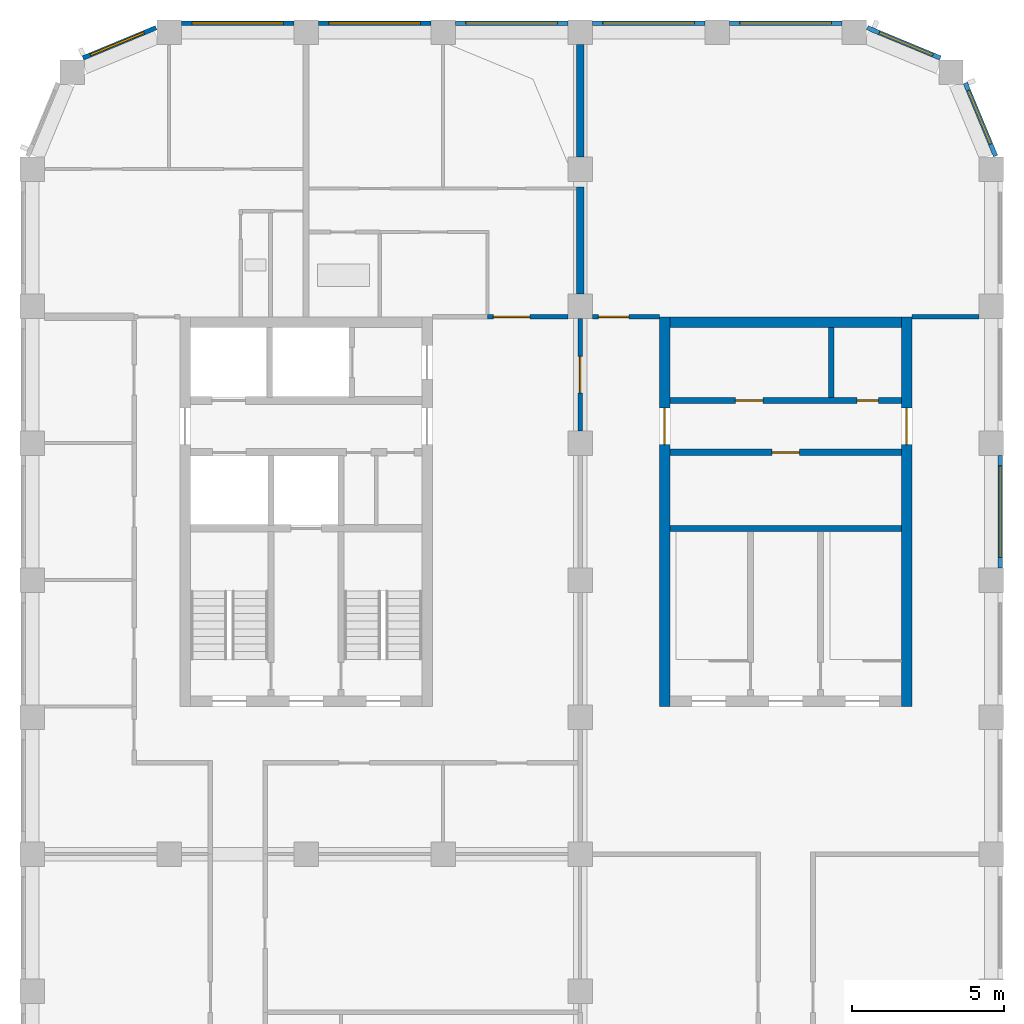
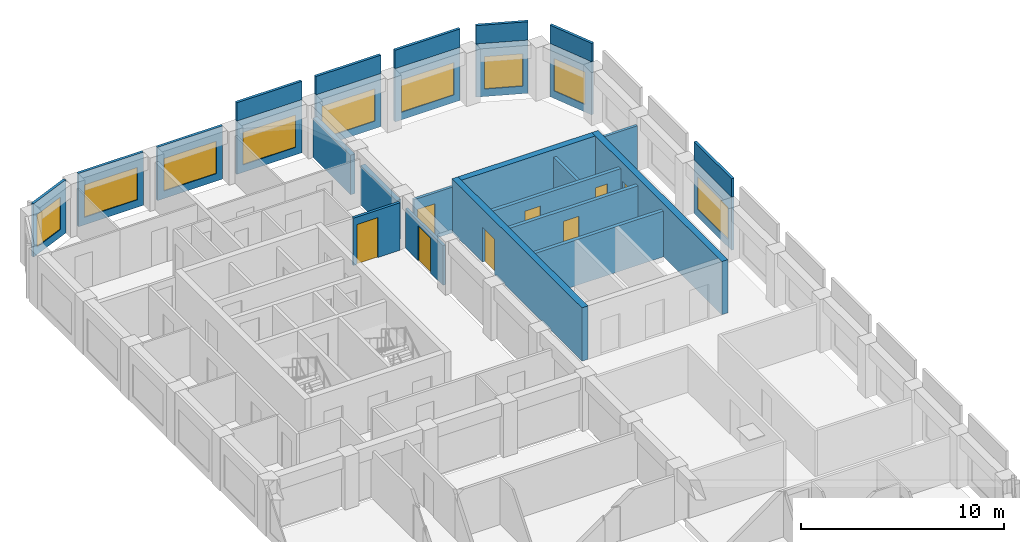
# One storey, part 7 of 10: 28 walls, 9 windows, 8 doors, 17 openings.
"""IFC4 building model written with IfcOpenShell, lengths in metres."""

import ifcopenshell
import ifcopenshell.guid

model = None  # the IFC model being written
_history = None  # IfcOwnerHistory: only IFC2X3 demands one
_inside = {}  # id of a spatial element -> (the spatial element, [elements in it])
_under = {}  # id of a project, library or spatial element -> (it, [spatial elements below it])
_declared = {}  # id of a project -> (the project, [libraries it declares])
_typed = {}  # id of a type object -> (the type object, [elements of that type])
_made_of = {}  # id of a material, layer set ... -> (it, [elements and type objects made of it])


def new_model(schema):
    """Start an empty IFC model of exactly this schema.

    Asked for "IFC4X3", IfcOpenShell would pick the latest addendum, in which some entities
    have other attributes; the version numbers below select the first issue.
    IFC2X3 requires an IfcOwnerHistory on every rooted entity: one is made here for all.
    """
    global model, _history
    if schema == "IFC4X3":
        model = ifcopenshell.file(schema_version=(4, 3, 0, 0))
    else:
        model = ifcopenshell.file(schema=schema)
    _inside.clear()
    _under.clear()
    _declared.clear()
    _typed.clear()
    _made_of.clear()
    _history = None
    if model.schema == "IFC2X3":
        org = make("IfcOrganization", Name="unknown")
        user = make(
            "IfcPersonAndOrganization",
            ThePerson=make("IfcPerson", FamilyName="unknown"),
            TheOrganization=org,
        )
        app = make(
            "IfcApplication",
            ApplicationDeveloper=org,
            Version="unknown",
            ApplicationFullName="unknown",
            ApplicationIdentifier="unknown",
        )
        _history = make(
            "IfcOwnerHistory",
            OwningUser=user,
            OwningApplication=app,
            ChangeAction="ADDED",
            CreationDate=0,
        )
    return model


def make(cls, **values):
    """One entity of the class cls with the attributes given. An attribute that is None is left unset."""
    return model.create_entity(
        cls, **{name: value for name, value in values.items() if value is not None}
    )


def rooted(cls, **values):
    """An entity with a GlobalId (a new one), such as an element, a storey or a relation."""
    return make(cls, GlobalId=ifcopenshell.guid.new(), OwnerHistory=_history, **values)


def si_unit(unit_type, name, prefix=None):
    """IfcSIUnit, for example si_unit("LENGTHUNIT", "METRE", prefix="MILLI")."""
    return make("IfcSIUnit", UnitType=unit_type, Prefix=prefix, Name=name)


def assignment(units):
    """IfcUnitAssignment: the units of a project."""
    return None if units is None else make("IfcUnitAssignment", Units=units)


def point(xyz):
    """IfcCartesianPoint."""
    return None if xyz is None else make("IfcCartesianPoint", Coordinates=xyz)


def direction(xyz):
    """IfcDirection."""
    return None if xyz is None else make("IfcDirection", DirectionRatios=xyz)


def frame(location, z_axis=None, x_axis=None):
    """IfcAxis2Placement3D, a coordinate frame: its origin and axes. An axis left out is left unset."""
    return make(
        "IfcAxis2Placement3D",
        Location=point(location),
        Axis=direction(z_axis),
        RefDirection=direction(x_axis),
    )


def frame_2d(location, x_axis=None):
    """IfcAxis2Placement2D, a coordinate frame in the plane: its origin and x axis."""
    return make(
        "IfcAxis2Placement2D", Location=point(location), RefDirection=direction(x_axis)
    )


def origin():
    """The frame at (0, 0, 0) with its axes left unset."""
    return frame((0.0, 0.0, 0.0))


def place(relative_to, where):
    """IfcLocalPlacement: puts the frame where relative to a parent placement (None: the world)."""
    return make(
        "IfcLocalPlacement", PlacementRelTo=relative_to, RelativePlacement=where
    )


def context(
    kind, dimensions, precision=None, world=None, true_north=None, identifier=None
):
    """IfcGeometricRepresentationContext, for example the 3D "Model" context."""
    return make(
        "IfcGeometricRepresentationContext",
        ContextIdentifier=identifier,
        ContextType=kind,
        CoordinateSpaceDimension=dimensions,
        Precision=precision,
        WorldCoordinateSystem=world,
        TrueNorth=true_north,
    )


def subcontext(parent, identifier, kind, view, scale=None):
    """IfcGeometricRepresentationSubContext, for example "Body" below "Model"."""
    return make(
        "IfcGeometricRepresentationSubContext",
        ContextIdentifier=identifier,
        ContextType=kind,
        ParentContext=parent,
        TargetScale=scale,
        TargetView=view,
    )


def project(units=None, contexts=None):
    """IfcProject with its units and contexts."""
    return rooted(
        "IfcProject",
        Name="project",
        RepresentationContexts=contexts,
        UnitsInContext=assignment(units),
    )


def spatial(cls, under=None, at=None, **own):
    """A site, building, storey or space (cls), placed at a placement, below another one or the project."""
    s = rooted(cls, ObjectPlacement=at, **own)
    if under is not None:
        _under.setdefault(under.id(), (under, []))[1].append(s)
    return s


def profile(cls, at=None, kind="AREA", **sizes):
    """A parametric profile (cls). Its sizes go by their IFC names, for example OverallWidth=200.0."""
    return make(cls, ProfileType=kind, Position=at, **sizes)


def rectangle(**sizes):
    """IfcRectangleProfileDef."""
    return profile("IfcRectangleProfileDef", **sizes)


def extrude(swept, where, along, depth):
    """IfcExtrudedAreaSolid: the profile swept, set in the frame where, extruded along a direction by depth."""
    return make(
        "IfcExtrudedAreaSolid",
        SweptArea=swept,
        Position=where,
        ExtrudedDirection=direction(along),
        Depth=depth,
    )


def shape(context_of_items, identifier, shape_type, items):
    """IfcShapeRepresentation: the items that make up one representation, for example the "Body"."""
    return make(
        "IfcShapeRepresentation",
        ContextOfItems=context_of_items,
        RepresentationIdentifier=identifier,
        RepresentationType=shape_type,
        Items=items,
    )


def material(Name=None, Category=None):
    """IfcMaterial."""
    return make("IfcMaterial", Name=Name, Category=Category)


def layer(
    of_material, thickness, ventilated=None, Name=None, Category=None, Priority=None
):
    """IfcMaterialLayer: one layer of a wall or slab, of a material (None: an air gap)."""
    return make(
        "IfcMaterialLayer",
        Material=of_material,
        LayerThickness=thickness,
        IsVentilated=ventilated,
        Name=Name,
        Category=Category,
        Priority=Priority,
    )


def layer_set(layers, Name=None):
    """IfcMaterialLayerSet."""
    return make("IfcMaterialLayerSet", MaterialLayers=layers, LayerSetName=Name)


def made_of(thing, what):
    """Note that an element or type object is made of a material, layer set ...; save() writes the relation."""
    if what is not None:
        _made_of.setdefault(what.id(), (what, []))[1].append(thing)
    return thing


def type_object(cls, material=None, **own):
    """A type object (cls), such as IfcWallType, which elements share."""
    return made_of(rooted(cls, **own), material)


def element(
    cls,
    number,
    at=None,
    inside=None,
    cuts=None,
    type_object=None,
    material=None,
    context=None,
    identifier="Body",
    shape_type=None,
    held_by="IfcProductDefinitionShape",
    body=None,
    shapes=None,
    **own,
):
    """One element of the class cls, such as IfcWall. Its Tag is "e" and its number.

    at: its placement. inside: the storey or other place that contains it. cuts: it is an
    opening in that element (IfcRelVoidsElement). A single representation is given by context,
    identifier, shape_type and body (its items); several are given by shapes. held_by: the class
    of the entity that holds the representations. save() writes the other relations.
    """
    e = rooted(cls, Tag="e%d" % number, ObjectPlacement=at, **own)
    if body is not None:
        shapes = [shape(context, identifier, shape_type, body)]
    if shapes is not None:
        e.Representation = make(held_by, Representations=shapes)
    if inside is not None:
        _inside.setdefault(inside.id(), (inside, []))[1].append(e)
    if cuts is not None:
        rooted(
            "IfcRelVoidsElement", RelatingBuildingElement=cuts, RelatedOpeningElement=e
        )
    if type_object is not None:
        _typed.setdefault(type_object.id(), (type_object, []))[1].append(e)
    return made_of(e, material)


def fill(opening, filler):
    """IfcRelFillsElement: the door or window that sits in an opening."""
    return rooted(
        "IfcRelFillsElement",
        RelatingOpeningElement=opening,
        RelatedBuildingElement=filler,
    )


def aggregate(whole, parts):
    """IfcRelAggregates: a whole, such as a stair, and the parts it consists of."""
    return rooted("IfcRelAggregates", RelatingObject=whole, RelatedObjects=parts)


def save(model, path):
    """Write the relations noted so far, then the file.

    IfcRelAggregates (storeys below a building ...), IfcRelContainedInSpatialStructure (elements
    in a storey), IfcRelDefinesByType, IfcRelAssociatesMaterial and IfcRelDeclares: one each for
    every whole, place, type object, material and project.
    """
    for whole, parts in _under.values():
        aggregate(whole, parts)
    for where, things in _inside.values():
        rooted(
            "IfcRelContainedInSpatialStructure",
            RelatedElements=things,
            RelatingStructure=where,
        )
    for kind, things in _typed.values():
        rooted("IfcRelDefinesByType", RelatedObjects=things, RelatingType=kind)
    for what, things in _made_of.values():
        rooted("IfcRelAssociatesMaterial", RelatedObjects=things, RelatingMaterial=what)
    for by, libraries in _declared.values():
        rooted("IfcRelDeclares", RelatingContext=by, RelatedDefinitions=libraries)
    model.write(path)


model = new_model("IFC4")

# Units and contexts
model_context = context("Model", 3, precision=1e-05, world=origin(), true_north=direction((0.0, 1.0)))
body_context = subcontext(model_context, "Body", "Model", "MODEL_VIEW")
ifc_project = project(units=[si_unit("LENGTHUNIT", "METRE"), si_unit("AREAUNIT", "SQUARE_METRE"), si_unit("VOLUMEUNIT", "CUBIC_METRE"), si_unit("PLANEANGLEUNIT", "RADIAN"), si_unit("MASSUNIT", "GRAM", prefix="KILO")], contexts=[model_context])

# Site, building, storey
site_placement = place(None, origin())
site = spatial("IfcSite", under=ifc_project, at=site_placement, CompositionType="ELEMENT")
building_placement = place(site_placement, origin())
building = spatial("IfcBuilding", under=site, at=building_placement, Name="Girih Gate Residences", CompositionType="ELEMENT")
storey_placement = place(building_placement, frame((0.0, 0.0, 232.4951171875)))
storey = spatial("IfcBuildingStorey", under=building, at=storey_placement, Name="L65", CompositionType="ELEMENT", Elevation=232.4951171875)

# Walls
ifc_material_1 = material(Name="Gypsum board on steel studs", Category="steel")
ifc_layer_1 = layer(ifc_material_1, 0.25)
ifc_layer_set_1 = layer_set([ifc_layer_1], Name="Acoustic separating wall 250 mm")
wall_type_1 = type_object("IfcWallType", Name="Acoustic separating wall 250 mm", PredefinedType="PARTITIONING", material=ifc_layer_set_1)
wall_1_placement = place(storey_placement, frame((18.0, 45.39990234375, 0.0), z_axis=(0.0, 0.0, 1.0), x_axis=(0.0, 1.0, 0.0)))
element("IfcWall", 1, at=wall_1_placement, inside=storey, type_object=wall_type_1, Name="L65 partition", PredefinedType="PARTITIONING", context=body_context, shape_type="SweptSolid", body=[
    extrude(rectangle(XDim=3.7001953125, YDim=0.25, at=frame_2d((1.85009765625, 0.0))), origin(), (0.0, 0.0, 1.0), 2.3798828125),
])
wall_2_placement = place(storey_placement, frame((18.0, 40.89990234375, 0.0), z_axis=(0.0, 0.0, 1.0), x_axis=(0.0, 1.0, 0.0)))
element("IfcWall", 2, at=wall_2_placement, inside=storey, type_object=wall_type_1, Name="L65 partition", PredefinedType="PARTITIONING", context=body_context, shape_type="SweptSolid", body=[
    extrude(rectangle(XDim=3.510009765625, YDim=0.25, at=frame_2d((1.7548828125, 0.0))), origin(), (0.0, 0.0, 1.0), 2.3798828125),
])

# Wall, opening, door
ifc_layer_2 = layer(ifc_material_1, 0.14990234375)
ifc_layer_set_2 = layer_set([ifc_layer_2], Name="Compartment wall 150 mm")
wall_type_2 = type_object("IfcWallType", Name="Compartment wall 150 mm", PredefinedType="PARTITIONING", material=ifc_layer_set_2)
wall_3_placement = place(storey_placement, frame((14.949951171875, 40.14990234375, 0.0), z_axis=(0.0, 0.0, 1.0), x_axis=(1.0, 0.0, 0.0)))
wall_3 = element("IfcWall", 3, at=wall_3_placement, inside=storey, type_object=wall_type_2, Name="L65 partition", PredefinedType="PARTITIONING", context=body_context, shape_type="SweptSolid", body=[
    extrude(rectangle(XDim=2.650146484375, YDim=0.14990234375, at=frame_2d((1.3251953125, 0.0))), origin(), (0.0, 0.0, 1.0), 2.849853515625),
])
opening_1_placement = place(wall_3_placement, frame((0.199951171875, 0.0, 0.0)))
opening_1 = element("IfcOpeningElement", 4, at=opening_1_placement, cuts=wall_3, Name="Opening A65-017", PredefinedType="OPENING", context=body_context, shape_type="SweptSolid", body=[
    extrude(rectangle(XDim=1.199951171875, YDim=2.39990234375, at=frame_2d((0.60009765625, 1.199951171875))), frame((0.0, 0.0849609375, 0.0), z_axis=(0.0, -1.0, 0.0), x_axis=(1.0, 0.0, 0.0)), (0.0, 0.0, 1.0), 0.169921875),
])
ifc_material_2 = material(Name="Timber, fire-rated core", Category="wood")
door_type_1 = type_object("IfcDoorType", Name="Villa entrance door 1200x2400 FD30S", OperationType="NOTDEFINED", PredefinedType="DOOR", material=ifc_material_2)
door_1_placement = place(opening_1_placement, origin())
door_1 = element("IfcDoor", 5, at=door_1_placement, inside=storey, type_object=door_type_1, Name="Door A65-017", OperationType="SINGLE_SWING_LEFT", OverallHeight=2.39990234375, OverallWidth=1.199951171875, PredefinedType="DOOR", context=body_context, shape_type="SweptSolid", body=[
    extrude(rectangle(XDim=1.199951171875, YDim=2.39990234375, at=frame_2d((0.60009765625, 1.199951171875))), frame((0.0, 0.02490234375, 0.0), z_axis=(0.0, -1.0, 0.0), x_axis=(1.0, 0.0, 0.0)), (0.0, 0.0, 1.0), 0.050048828125),
])
fill(opening_1, door_1)

wall_4_placement = place(storey_placement, frame((18.39990234375, 40.14990234375, 0.0), z_axis=(0.0, 0.0, 1.0), x_axis=(1.0, 0.0, 0.0)))
wall_4 = element("IfcWall", 6, at=wall_4_placement, inside=storey, type_object=wall_type_2, Name="L65 partition", PredefinedType="PARTITIONING", context=body_context, shape_type="SweptSolid", body=[
    extrude(rectangle(XDim=2.2001953125, YDim=0.14990234375, at=frame_2d((1.10009765625, 0.0))), origin(), (0.0, 0.0, 1.0), 2.75),
])
opening_2_placement = place(wall_4_placement, frame((0.199951171875, 0.0, 0.0)))
opening_2 = element("IfcOpeningElement", 7, at=opening_2_placement, cuts=wall_4, Name="Opening A65-025", PredefinedType="OPENING", context=body_context, shape_type="SweptSolid", body=[
    extrude(rectangle(XDim=1.0, YDim=2.10009765625, at=frame_2d((0.5, 1.050048828125))), frame((0.0, 0.0849609375, 0.0), z_axis=(0.0, -1.0, 0.0), x_axis=(1.0, 0.0, 0.0)), (0.0, 0.0, 1.0), 0.169921875),
])
door_type_2 = type_object("IfcDoorType", Name="Amenity room door 1000x2100 FD30S", OperationType="NOTDEFINED", PredefinedType="DOOR", material=ifc_material_2)
door_2_placement = place(opening_2_placement, origin())
door_2 = element("IfcDoor", 8, at=door_2_placement, inside=storey, type_object=door_type_2, Name="Door A65-025", OperationType="SINGLE_SWING_LEFT", OverallHeight=2.10009765625, OverallWidth=1.0, PredefinedType="DOOR", context=body_context, shape_type="SweptSolid", body=[
    extrude(rectangle(XDim=1.0, YDim=2.10009765625, at=frame_2d((0.5, 1.050048828125))), frame((0.0, 0.02490234375, 0.0), z_axis=(0.0, -1.0, 0.0), x_axis=(1.0, 0.0, 0.0)), (0.0, 0.0, 1.0), 0.050048828125),
])
fill(opening_2, door_2)

# Wall
wall_5_placement = place(storey_placement, frame((28.89990234375, 40.14990234375, 0.0), z_axis=(0.0, 0.0, 1.0), x_axis=(1.0, 0.0, 0.0)))
element("IfcWall", 9, at=wall_5_placement, inside=storey, type_object=wall_type_2, Name="L65 partition", PredefinedType="PARTITIONING", context=body_context, shape_type="SweptSolid", body=[
    extrude(rectangle(XDim=2.2001953125, YDim=0.14990234375, at=frame_2d((1.10009765625, 0.0))), origin(), (0.0, 0.0, 1.0), 2.75),
])

# Wall, opening, door
wall_6_placement = place(storey_placement, frame((18.0, 40.10009765625, 0.0), z_axis=(0.0, 0.0, 1.0), x_axis=(0.0, -1.0, 0.0)))
wall_6 = element("IfcWall", 10, at=wall_6_placement, inside=storey, type_object=wall_type_2, Name="L65 partition", PredefinedType="PARTITIONING", context=body_context, shape_type="SweptSolid", body=[
    extrude(rectangle(XDim=3.7001953125, YDim=0.14990234375, at=frame_2d((1.85009765625, 0.0))), origin(), (0.0, 0.0, 1.0), 2.3798828125),
])
opening_3_placement = place(wall_6_placement, frame((1.25, 0.0, 0.0)))
opening_3 = element("IfcOpeningElement", 11, at=opening_3_placement, cuts=wall_6, Name="Opening A65-026", PredefinedType="OPENING", context=body_context, shape_type="SweptSolid", body=[
    extrude(rectangle(XDim=1.199951171875, YDim=2.10009765625, at=frame_2d((0.60009765625, 1.050048828125))), frame((0.0, 0.0849609375, 0.0), z_axis=(0.0, -1.0, 0.0), x_axis=(1.0, 0.0, 0.0)), (0.0, 0.0, 1.0), 0.169921875),
])
door_type_3 = type_object("IfcDoorType", Name="Corridor fire door 1200x2100 FD30S", OperationType="NOTDEFINED", PredefinedType="DOOR", material=ifc_material_2)
door_3_placement = place(opening_3_placement, origin())
door_3 = element("IfcDoor", 12, at=door_3_placement, inside=storey, type_object=door_type_3, Name="Door A65-026", OperationType="SINGLE_SWING_LEFT", OverallHeight=2.10009765625, OverallWidth=1.199951171875, PredefinedType="DOOR", context=body_context, shape_type="SweptSolid", body=[
    extrude(rectangle(XDim=1.199951171875, YDim=2.10009765625, at=frame_2d((0.60009765625, 1.050048828125))), frame((0.0, 0.02490234375, 0.0), z_axis=(0.0, -1.0, 0.0), x_axis=(1.0, 0.0, 0.0)), (0.0, 0.0, 1.0), 0.050048828125),
])
fill(opening_3, door_3)

# Wall, opening, window
ifc_material_3 = material(Name="Precast concrete C50/60", Category="concrete")
ifc_layer_3 = layer(ifc_material_3, 0.050048828125, Name="Outer leaf")
ifc_material_4 = material(Name="Rigid PIR insulation")
ifc_layer_4 = layer(ifc_material_4, 0.06005859375, Name="Insulation")
ifc_material_5 = material(Name="Precast concrete C40/50", Category="concrete")
ifc_layer_5 = layer(ifc_material_5, 0.0400390625, Name="Inner leaf")
ifc_layer_set_3 = layer_set([ifc_layer_3, ifc_layer_4, ifc_layer_5], Name="Precast concrete C50/60 external wall 150")
wall_type_3 = type_object("IfcWallType", Name="Precast concrete C50/60 external wall 150", PredefinedType="SOLIDWALL", material=ifc_layer_set_3)
wall_7_placement = place(storey_placement, frame((31.800048828125, 35.60009765625, 0.0), z_axis=(0.0, 0.0, 1.0), x_axis=(0.0, -1.0, 0.0)))
wall_7 = element("IfcWall", 13, at=wall_7_placement, inside=storey, type_object=wall_type_3, Name="External wall E0315_0045.6", PredefinedType="SOLIDWALL", context=body_context, shape_type="SweptSolid", body=[
    extrude(rectangle(XDim=3.7001953125, YDim=0.14990234375, at=frame_2d((1.85009765625, 0.0))), origin(), (0.0, 0.0, 1.0), 3.199951171875),
])
opening_4_placement = place(wall_7_placement, frame((0.35009765625, 0.0, 0.449951171875)))
opening_4 = element("IfcOpeningElement", 14, at=opening_4_placement, cuts=wall_7, Name="Opening W-1D", PredefinedType="OPENING", context=body_context, shape_type="SweptSolid", body=[
    extrude(rectangle(XDim=3.0, YDim=1.949951171875, at=frame_2d((1.5, 0.97509765625))), frame((0.0, 0.0849609375, 0.0), z_axis=(0.0, -1.0, 0.0), x_axis=(1.0, 0.0, 0.0)), (0.0, 0.0, 1.0), 0.169921875),
])
ifc_material_6 = material(Name="Double glazing in aluminium frame", Category="aluminium")
window_type_1 = type_object("IfcWindowType", Name="Window W-1D 3000x1950", PartitioningType="SINGLE_PANEL", PredefinedType="WINDOW", material=ifc_material_6)
window_1_placement = place(opening_4_placement, origin())
window_1 = element("IfcWindow", 15, at=window_1_placement, inside=storey, type_object=window_type_1, Name="Window W-1D E0315_0045.6", OverallHeight=1.949951171875, OverallWidth=3.0, PartitioningType="SINGLE_PANEL", PredefinedType="WINDOW", context=body_context, shape_type="SweptSolid", body=[
    extrude(rectangle(XDim=3.0, YDim=1.949951171875, at=frame_2d((1.5, 0.97509765625))), frame((0.0, 0.030029296875, 0.0), z_axis=(0.0, -1.0, 0.0), x_axis=(1.0, 0.0, 0.0)), (0.0, 0.0, 1.0), 0.06005859375),
])
fill(opening_4, window_1)

wall_8_placement = place(storey_placement, frame((30.6513671875, 47.8330078125, 0.0), z_axis=(0.0, 0.0, 1.0), x_axis=(0.382669406082, -0.923885342263, 0.0)))
wall_8 = element("IfcWall", 16, at=wall_8_placement, inside=storey, type_object=wall_type_3, Name="External wall NE0315_0450.0", PredefinedType="SOLIDWALL", context=body_context, shape_type="SweptSolid", body=[
    extrude(rectangle(XDim=2.602294921875, YDim=0.14990234375, at=frame_2d((1.30126953125, 0.0))), origin(), (0.0, 0.0, 1.0), 3.199951171875),
])
opening_5_placement = place(wall_8_placement, frame((0.27001953125, 0.0, 0.449951171875)))
opening_5 = element("IfcOpeningElement", 17, at=opening_5_placement, cuts=wall_8, Name="Opening W-2G", PredefinedType="OPENING", context=body_context, shape_type="SweptSolid", body=[
    extrude(rectangle(XDim=1.89990234375, YDim=1.949951171875, at=frame_2d((0.949951171875, 0.97509765625))), frame((0.0, 0.0849609375, 0.0), z_axis=(0.0, -1.0, 0.0), x_axis=(1.0, 0.0, 0.0)), (0.0, 0.0, 1.0), 0.169921875),
])
window_type_2 = type_object("IfcWindowType", Name="Window W-2G 1900x1950", PartitioningType="SINGLE_PANEL", PredefinedType="WINDOW", material=ifc_material_6)
window_2_placement = place(opening_5_placement, origin())
window_2 = element("IfcWindow", 18, at=window_2_placement, inside=storey, type_object=window_type_2, Name="Window W-2G NE0315_0450.0", OverallHeight=1.949951171875, OverallWidth=1.89990234375, PartitioningType="SINGLE_PANEL", PredefinedType="WINDOW", context=body_context, shape_type="SweptSolid", body=[
    extrude(rectangle(XDim=1.89990234375, YDim=1.949951171875, at=frame_2d((0.949951171875, 0.97509765625))), frame((0.0, 0.030029296875, 0.0), z_axis=(0.0, -1.0, 0.0), x_axis=(1.0, 0.0, 0.0)), (0.0, 0.0, 1.0), 0.06005859375),
])
fill(opening_5, window_2)

wall_9_placement = place(storey_placement, frame((27.4287109375, 49.647216796875, 0.0), z_axis=(0.0, 0.0, 1.0), x_axis=(0.923885342263, -0.382669406082, 0.0)))
wall_9 = element("IfcWall", 19, at=wall_9_placement, inside=storey, type_object=wall_type_3, Name="External wall NE0302_0482.0", PredefinedType="SOLIDWALL", context=body_context, shape_type="SweptSolid", body=[
    extrude(rectangle(XDim=2.602294921875, YDim=0.14990234375, at=frame_2d((1.30126953125, 0.0))), origin(), (0.0, 0.0, 1.0), 3.199951171875),
])
opening_6_placement = place(wall_9_placement, frame((0.432373046875, 0.0, 0.449951171875)))
opening_6 = element("IfcOpeningElement", 20, at=opening_6_placement, cuts=wall_9, Name="Opening W-2G", PredefinedType="OPENING", context=body_context, shape_type="SweptSolid", body=[
    extrude(rectangle(XDim=1.89990234375, YDim=1.949951171875, at=frame_2d((0.949951171875, 0.97509765625))), frame((0.0, 0.0849609375, 0.0), z_axis=(0.0, -1.0, 0.0), x_axis=(1.0, 0.0, 0.0)), (0.0, 0.0, 1.0), 0.169921875),
])
window_3_placement = place(opening_6_placement, origin())
window_3 = element("IfcWindow", 21, at=window_3_placement, inside=storey, type_object=window_type_2, Name="Window W-2G NE0302_0482.0", OverallHeight=1.949951171875, OverallWidth=1.89990234375, PartitioningType="SINGLE_PANEL", PredefinedType="WINDOW", context=body_context, shape_type="SweptSolid", body=[
    extrude(rectangle(XDim=1.89990234375, YDim=1.949951171875, at=frame_2d((0.949951171875, 0.97509765625))), frame((0.0, 0.030029296875, 0.0), z_axis=(0.0, -1.0, 0.0), x_axis=(1.0, 0.0, 0.0)), (0.0, 0.0, 1.0), 0.06005859375),
])
fill(opening_6, window_3)

wall_10_placement = place(storey_placement, frame((22.89990234375, 49.800048828125, 0.0), z_axis=(0.0, 0.0, 1.0), x_axis=(1.0, 0.0, 0.0)))
wall_10 = element("IfcWall", 22, at=wall_10_placement, inside=storey, type_object=wall_type_3, Name="External wall N0270_0495.0", PredefinedType="SOLIDWALL", context=body_context, shape_type="SweptSolid", body=[
    extrude(rectangle(XDim=3.7001953125, YDim=0.14990234375, at=frame_2d((1.85009765625, 0.0))), origin(), (0.0, 0.0, 1.0), 3.199951171875),
])
opening_7_placement = place(wall_10_placement, frame((0.35009765625, 0.0, 0.449951171875)))
opening_7 = element("IfcOpeningElement", 23, at=opening_7_placement, cuts=wall_10, Name="Opening W-1D", PredefinedType="OPENING", context=body_context, shape_type="SweptSolid", body=[
    extrude(rectangle(XDim=3.0, YDim=1.949951171875, at=frame_2d((1.5, 0.97509765625))), frame((0.0, 0.0849609375, 0.0), z_axis=(0.0, -1.0, 0.0), x_axis=(1.0, 0.0, 0.0)), (0.0, 0.0, 1.0), 0.169921875),
])
window_4_placement = place(opening_7_placement, origin())
window_4 = element("IfcWindow", 24, at=window_4_placement, inside=storey, type_object=window_type_1, Name="Window W-1D N0270_0495.0", OverallHeight=1.949951171875, OverallWidth=3.0, PartitioningType="SINGLE_PANEL", PredefinedType="WINDOW", context=body_context, shape_type="SweptSolid", body=[
    extrude(rectangle(XDim=3.0, YDim=1.949951171875, at=frame_2d((1.5, 0.97509765625))), frame((0.0, 0.030029296875, 0.0), z_axis=(0.0, -1.0, 0.0), x_axis=(1.0, 0.0, 0.0)), (0.0, 0.0, 1.0), 0.06005859375),
])
fill(opening_7, window_4)

wall_11_placement = place(storey_placement, frame((18.39990234375, 49.800048828125, 0.0), z_axis=(0.0, 0.0, 1.0), x_axis=(1.0, 0.0, 0.0)))
wall_11 = element("IfcWall", 25, at=wall_11_placement, inside=storey, type_object=wall_type_3, Name="External wall N0270_0495.1", PredefinedType="SOLIDWALL", context=body_context, shape_type="SweptSolid", body=[
    extrude(rectangle(XDim=3.7001953125, YDim=0.14990234375, at=frame_2d((1.85009765625, 0.0))), origin(), (0.0, 0.0, 1.0), 3.199951171875),
])
opening_8_placement = place(wall_11_placement, frame((0.35009765625, 0.0, 0.449951171875)))
opening_8 = element("IfcOpeningElement", 26, at=opening_8_placement, cuts=wall_11, Name="Opening W-1D", PredefinedType="OPENING", context=body_context, shape_type="SweptSolid", body=[
    extrude(rectangle(XDim=3.0, YDim=1.949951171875, at=frame_2d((1.5, 0.97509765625))), frame((0.0, 0.0849609375, 0.0), z_axis=(0.0, -1.0, 0.0), x_axis=(1.0, 0.0, 0.0)), (0.0, 0.0, 1.0), 0.169921875),
])
window_5_placement = place(opening_8_placement, origin())
window_5 = element("IfcWindow", 27, at=window_5_placement, inside=storey, type_object=window_type_1, Name="Window W-1D N0270_0495.1", OverallHeight=1.949951171875, OverallWidth=3.0, PartitioningType="SINGLE_PANEL", PredefinedType="WINDOW", context=body_context, shape_type="SweptSolid", body=[
    extrude(rectangle(XDim=3.0, YDim=1.949951171875, at=frame_2d((1.5, 0.97509765625))), frame((0.0, 0.030029296875, 0.0), z_axis=(0.0, -1.0, 0.0), x_axis=(1.0, 0.0, 0.0)), (0.0, 0.0, 1.0), 0.06005859375),
])
fill(opening_8, window_5)

wall_12_placement = place(storey_placement, frame((13.89990234375, 49.800048828125, 0.0), z_axis=(0.0, 0.0, 1.0), x_axis=(1.0, 0.0, 0.0)))
wall_12 = element("IfcWall", 28, at=wall_12_placement, inside=storey, type_object=wall_type_3, Name="External wall N0270_0495.2", PredefinedType="SOLIDWALL", context=body_context, shape_type="SweptSolid", body=[
    extrude(rectangle(XDim=3.7001953125, YDim=0.14990234375, at=frame_2d((1.85009765625, 0.0))), origin(), (0.0, 0.0, 1.0), 3.199951171875),
])
opening_9_placement = place(wall_12_placement, frame((0.35009765625, 0.0, 0.449951171875)))
opening_9 = element("IfcOpeningElement", 29, at=opening_9_placement, cuts=wall_12, Name="Opening W-1D", PredefinedType="OPENING", context=body_context, shape_type="SweptSolid", body=[
    extrude(rectangle(XDim=3.0, YDim=1.949951171875, at=frame_2d((1.5, 0.97509765625))), frame((0.0, 0.0849609375, 0.0), z_axis=(0.0, -1.0, 0.0), x_axis=(1.0, 0.0, 0.0)), (0.0, 0.0, 1.0), 0.169921875),
])
window_6_placement = place(opening_9_placement, origin())
window_6 = element("IfcWindow", 30, at=window_6_placement, inside=storey, type_object=window_type_1, Name="Window W-1D N0270_0495.2", OverallHeight=1.949951171875, OverallWidth=3.0, PartitioningType="SINGLE_PANEL", PredefinedType="WINDOW", context=body_context, shape_type="SweptSolid", body=[
    extrude(rectangle(XDim=3.0, YDim=1.949951171875, at=frame_2d((1.5, 0.97509765625))), frame((0.0, 0.030029296875, 0.0), z_axis=(0.0, -1.0, 0.0), x_axis=(1.0, 0.0, 0.0)), (0.0, 0.0, 1.0), 0.06005859375),
])
fill(opening_9, window_6)

wall_13_placement = place(storey_placement, frame((9.39990234375, 49.800048828125, 0.0), z_axis=(0.0, 0.0, 1.0), x_axis=(1.0, 0.0, 0.0)))
wall_13 = element("IfcWall", 31, at=wall_13_placement, inside=storey, type_object=wall_type_3, Name="External wall N0270_0495.3", PredefinedType="SOLIDWALL", context=body_context, shape_type="SweptSolid", body=[
    extrude(rectangle(XDim=3.7001953125, YDim=0.14990234375, at=frame_2d((1.85009765625, 0.0))), origin(), (0.0, 0.0, 1.0), 3.199951171875),
])
opening_10_placement = place(wall_13_placement, frame((0.35009765625, 0.0, 0.449951171875)))
opening_10 = element("IfcOpeningElement", 32, at=opening_10_placement, cuts=wall_13, Name="Opening W-1D", PredefinedType="OPENING", context=body_context, shape_type="SweptSolid", body=[
    extrude(rectangle(XDim=3.0, YDim=1.949951171875, at=frame_2d((1.5, 0.97509765625))), frame((0.0, 0.0849609375, 0.0), z_axis=(0.0, -1.0, 0.0), x_axis=(1.0, 0.0, 0.0)), (0.0, 0.0, 1.0), 0.169921875),
])
window_7_placement = place(opening_10_placement, origin())
window_7 = element("IfcWindow", 33, at=window_7_placement, inside=storey, type_object=window_type_1, Name="Window W-1D N0270_0495.3", OverallHeight=1.949951171875, OverallWidth=3.0, PartitioningType="SINGLE_PANEL", PredefinedType="WINDOW", context=body_context, shape_type="SweptSolid", body=[
    extrude(rectangle(XDim=3.0, YDim=1.949951171875, at=frame_2d((1.5, 0.97509765625))), frame((0.0, 0.030029296875, 0.0), z_axis=(0.0, -1.0, 0.0), x_axis=(1.0, 0.0, 0.0)), (0.0, 0.0, 1.0), 0.06005859375),
])
fill(opening_10, window_7)

wall_14_placement = place(storey_placement, frame((4.89990234375, 49.800048828125, 0.0), z_axis=(0.0, 0.0, 1.0), x_axis=(1.0, 0.0, 0.0)))
wall_14 = element("IfcWall", 34, at=wall_14_placement, inside=storey, type_object=wall_type_3, Name="External wall N0270_0495.4", PredefinedType="SOLIDWALL", context=body_context, shape_type="SweptSolid", body=[
    extrude(rectangle(XDim=3.7001953125, YDim=0.14990234375, at=frame_2d((1.85009765625, 0.0))), origin(), (0.0, 0.0, 1.0), 3.199951171875),
])
opening_11_placement = place(wall_14_placement, frame((0.35009765625, 0.0, 0.449951171875)))
opening_11 = element("IfcOpeningElement", 35, at=opening_11_placement, cuts=wall_14, Name="Opening W-1D", PredefinedType="OPENING", context=body_context, shape_type="SweptSolid", body=[
    extrude(rectangle(XDim=3.0, YDim=1.949951171875, at=frame_2d((1.5, 0.97509765625))), frame((0.0, 0.0849609375, 0.0), z_axis=(0.0, -1.0, 0.0), x_axis=(1.0, 0.0, 0.0)), (0.0, 0.0, 1.0), 0.169921875),
])
window_8_placement = place(opening_11_placement, origin())
window_8 = element("IfcWindow", 36, at=window_8_placement, inside=storey, type_object=window_type_1, Name="Window W-1D N0270_0495.4", OverallHeight=1.949951171875, OverallWidth=3.0, PartitioningType="SINGLE_PANEL", PredefinedType="WINDOW", context=body_context, shape_type="SweptSolid", body=[
    extrude(rectangle(XDim=3.0, YDim=1.949951171875, at=frame_2d((1.5, 0.97509765625))), frame((0.0, 0.030029296875, 0.0), z_axis=(0.0, -1.0, 0.0), x_axis=(1.0, 0.0, 0.0)), (0.0, 0.0, 1.0), 0.06005859375),
])
fill(opening_11, window_8)

wall_15_placement = place(storey_placement, frame((1.6669921875, 48.6513671875, 0.0), z_axis=(0.0, 0.0, 1.0), x_axis=(0.923885342263, 0.382669406082, 0.0)))
wall_15 = element("IfcWall", 37, at=wall_15_placement, inside=storey, type_object=wall_type_3, Name="External wall NW0045_0495.0", PredefinedType="SOLIDWALL", context=body_context, shape_type="SweptSolid", body=[
    extrude(rectangle(XDim=2.602294921875, YDim=0.14990234375, at=frame_2d((1.30126953125, 0.0))), origin(), (0.0, 0.0, 1.0), 3.199951171875),
])
opening_12_placement = place(wall_15_placement, frame((0.27001953125, 0.0, 0.449951171875)))
opening_12 = element("IfcOpeningElement", 38, at=opening_12_placement, cuts=wall_15, Name="Opening W-2G", PredefinedType="OPENING", context=body_context, shape_type="SweptSolid", body=[
    extrude(rectangle(XDim=1.89990234375, YDim=1.949951171875, at=frame_2d((0.949951171875, 0.97509765625))), frame((0.0, 0.0849609375, 0.0), z_axis=(0.0, -1.0, 0.0), x_axis=(1.0, 0.0, 0.0)), (0.0, 0.0, 1.0), 0.169921875),
])
window_9_placement = place(opening_12_placement, origin())
window_9 = element("IfcWindow", 39, at=window_9_placement, inside=storey, type_object=window_type_2, Name="Window W-2G NW0045_0495.0", OverallHeight=1.949951171875, OverallWidth=1.89990234375, PartitioningType="SINGLE_PANEL", PredefinedType="WINDOW", context=body_context, shape_type="SweptSolid", body=[
    extrude(rectangle(XDim=1.89990234375, YDim=1.949951171875, at=frame_2d((0.949951171875, 0.97509765625))), frame((0.0, 0.030029296875, 0.0), z_axis=(0.0, -1.0, 0.0), x_axis=(1.0, 0.0, 0.0)), (0.0, 0.0, 1.0), 0.06005859375),
])
fill(opening_12, window_9)

# Walls
ifc_material_7 = material(Name="Concrete C40/50", Category="concrete")
ifc_layer_6 = layer(ifc_material_7, 0.175048828125)
ifc_layer_set_4 = layer_set([ifc_layer_6], Name="Riser shaft wall 175")
wall_type_4 = type_object("IfcWallType", Name="Riser shaft wall 175", PredefinedType="SOLIDWALL", material=ifc_layer_set_4)
wall_16_placement = place(storey_placement, frame((26.25, 37.5, 0.0), z_axis=(0.0, 0.0, 1.0), x_axis=(0.0, 1.0, 0.0)))
element("IfcWall", 40, at=wall_16_placement, inside=storey, type_object=wall_type_4, Name="L65 C core wall V2c", PredefinedType="SOLIDWALL", context=body_context, shape_type="SweptSolid", body=[
    extrude(rectangle(XDim=2.300048828125, YDim=0.175048828125, at=frame_2d((1.14990234375, 0.0))), origin(), (0.0, 0.0, 1.0), 2.75),
])
ifc_layer_7 = layer(ifc_material_3, 0.14990234375)
ifc_layer_set_5 = layer_set([ifc_layer_7], Name="Roof parapet 150")
wall_type_5 = type_object("IfcWallType", Name="Roof parapet 150", PredefinedType="PARAPET", material=ifc_layer_set_5)
wall_17_placement = place(storey_placement, frame((31.800048828125, 35.60009765625, 3.199951171875), z_axis=(0.0, 0.0, 1.0), x_axis=(0.0, -1.0, 0.0)))
element("IfcWall", 41, at=wall_17_placement, inside=storey, type_object=wall_type_5, Name="Roof parapet E0315_0045.6", PredefinedType="PARAPET", context=body_context, shape_type="SweptSolid", body=[
    extrude(rectangle(XDim=3.7001953125, YDim=0.14990234375, at=frame_2d((1.85009765625, 0.0))), origin(), (0.0, 0.0, 1.0), 1.099853515625),
])
for number, where, z_axis, x_axis, name in (
    (42, (30.6513671875, 47.8330078125, 3.199951171875), (0.0, 0.0, 1.0), (0.382669406082, -0.923885342263, 0.0), "Roof parapet NE0315_0450.0"),
    (43, (27.4287109375, 49.647216796875, 3.199951171875), (0.0, 0.0, 1.0), (0.923885342263, -0.382669406082, 0.0), "Roof parapet NE0302_0482.0"),
):
    element("IfcWall", number, at=place(storey_placement, frame(where, z_axis=z_axis, x_axis=x_axis)), inside=storey, type_object=wall_type_5, Name=name, PredefinedType="PARAPET", context=body_context, shape_type="SweptSolid", body=[
        extrude(rectangle(XDim=2.602294921875, YDim=0.14990234375, at=frame_2d((1.30126953125, 0.0))), origin(), (0.0, 0.0, 1.0), 1.099853515625),
    ])
for number, where, z_axis, x_axis, name in (
    (44, (22.89990234375, 49.800048828125, 3.199951171875), (0.0, 0.0, 1.0), (1.0, 0.0, 0.0), "Roof parapet N0270_0495.0"),
    (45, (18.39990234375, 49.800048828125, 3.199951171875), (0.0, 0.0, 1.0), (1.0, 0.0, 0.0), "Roof parapet N0270_0495.1"),
    (46, (13.89990234375, 49.800048828125, 3.199951171875), (0.0, 0.0, 1.0), (1.0, 0.0, 0.0), "Roof parapet N0270_0495.2"),
):
    element("IfcWall", number, at=place(storey_placement, frame(where, z_axis=z_axis, x_axis=x_axis)), inside=storey, type_object=wall_type_5, Name=name, PredefinedType="PARAPET", context=body_context, shape_type="SweptSolid", body=[
        extrude(rectangle(XDim=3.7001953125, YDim=0.14990234375, at=frame_2d((1.85009765625, 0.0))), origin(), (0.0, 0.0, 1.0), 1.099853515625),
    ])
ifc_layer_8 = layer(ifc_material_7, 0.199951171875)
ifc_layer_set_6 = layer_set([ifc_layer_8], Name="Shaft wall 200")
wall_type_6 = type_object("IfcWallType", Name="Shaft wall 200", PredefinedType="SOLIDWALL", material=ifc_layer_set_6)
wall_18_placement = place(storey_placement, frame((20.949951171875, 33.199951171875, 0.0), z_axis=(0.0, 0.0, 1.0), x_axis=(1.0, 0.0, 0.0)))
element("IfcWall", 47, at=wall_18_placement, inside=storey, type_object=wall_type_6, Name="L65 C core wall H1", PredefinedType="SOLIDWALL", context=body_context, shape_type="SweptSolid", body=[
    extrude(rectangle(XDim=7.60009765625, YDim=0.199951171875, at=frame_2d((3.800048828125, 0.0))), origin(), (0.0, 0.0, 1.0), 2.75),
])

# Wall, opening, door
wall_19_placement = place(storey_placement, frame((20.949951171875, 35.699951171875, 0.0), z_axis=(0.0, 0.0, 1.0), x_axis=(1.0, 0.0, 0.0)))
wall_19 = element("IfcWall", 48, at=wall_19_placement, inside=storey, type_object=wall_type_6, Name="L65 C core wall H2", PredefinedType="SOLIDWALL", context=body_context, shape_type="SweptSolid", body=[
    extrude(rectangle(XDim=7.60009765625, YDim=0.199951171875, at=frame_2d((3.800048828125, 0.0))), origin(), (0.0, 0.0, 1.0), 2.75),
])
opening_13_placement = place(wall_19_placement, frame((3.35009765625, 0.0, 0.0)))
opening_13 = element("IfcOpeningElement", 49, at=opening_13_placement, cuts=wall_19, Name="Opening D-L65-C-004", PredefinedType="OPENING", context=body_context, shape_type="SweptSolid", body=[
    extrude(rectangle(XDim=0.89990234375, YDim=2.10009765625, at=frame_2d((0.449951171875, 1.050048828125))), frame((0.0, 0.10986328125, 0.0), z_axis=(0.0, -1.0, 0.0), x_axis=(1.0, 0.0, 0.0)), (0.0, 0.0, 1.0), 0.219970703125),
])
ifc_material_8 = material(Name="Painted steel, fire-resisting", Category="steel")
door_type_4 = type_object("IfcDoorType", Name="Fire door 900x2100", OperationType="SINGLE_SWING_LEFT", PredefinedType="DOOR", material=ifc_material_8)
door_4_placement = place(opening_13_placement, origin())
door_4 = element("IfcDoor", 50, at=door_4_placement, inside=storey, type_object=door_type_4, Name="L65 C cleaners store door", OperationType="SINGLE_SWING_LEFT", OverallHeight=2.10009765625, OverallWidth=0.89990234375, PredefinedType="DOOR", context=body_context, shape_type="SweptSolid", body=[
    extrude(rectangle(XDim=0.89990234375, YDim=2.10009765625, at=frame_2d((0.449951171875, 1.050048828125))), frame((0.0, 0.02490234375, 0.0), z_axis=(0.0, -1.0, 0.0), x_axis=(1.0, 0.0, 0.0)), (0.0, 0.0, 1.0), 0.050048828125),
])
fill(opening_13, door_4)

# Wall, openings, doors
wall_20_placement = place(storey_placement, frame((20.949951171875, 37.39990234375, 0.0), z_axis=(0.0, 0.0, 1.0), x_axis=(1.0, 0.0, 0.0)))
wall_20 = element("IfcWall", 51, at=wall_20_placement, inside=storey, type_object=wall_type_6, Name="L65 C core wall H3", PredefinedType="SOLIDWALL", context=body_context, shape_type="SweptSolid", body=[
    extrude(rectangle(XDim=7.60009765625, YDim=0.199951171875, at=frame_2d((3.800048828125, 0.0))), origin(), (0.0, 0.0, 1.0), 2.75),
])
opening_14_placement = place(wall_20_placement, frame((6.14990234375, 0.0, 0.0)))
opening_14 = element("IfcOpeningElement", 52, at=opening_14_placement, cuts=wall_20, Name="Opening D-L65-C-003", PredefinedType="OPENING", context=body_context, shape_type="SweptSolid", body=[
    extrude(rectangle(XDim=0.699951171875, YDim=2.10009765625, at=frame_2d((0.35009765625, 1.050048828125))), frame((0.0, 0.10986328125, 0.0), z_axis=(0.0, -1.0, 0.0), x_axis=(1.0, 0.0, 0.0)), (0.0, 0.0, 1.0), 0.219970703125),
])
opening_15_placement = place(wall_20_placement, frame((2.14990234375, 0.0, 0.0)))
opening_15 = element("IfcOpeningElement", 53, at=opening_15_placement, cuts=wall_20, Name="Opening D-L65-C-005", PredefinedType="OPENING", context=body_context, shape_type="SweptSolid", body=[
    extrude(rectangle(XDim=0.89990234375, YDim=2.10009765625, at=frame_2d((0.449951171875, 1.050048828125))), frame((0.0, 0.10986328125, 0.0), z_axis=(0.0, -1.0, 0.0), x_axis=(1.0, 0.0, 0.0)), (0.0, 0.0, 1.0), 0.219970703125),
])
door_5_placement = place(opening_15_placement, origin())
door_5 = element("IfcDoor", 54, at=door_5_placement, inside=storey, type_object=door_type_4, Name="L65 C electrical room door", OperationType="SINGLE_SWING_LEFT", OverallHeight=2.10009765625, OverallWidth=0.89990234375, PredefinedType="DOOR", context=body_context, shape_type="SweptSolid", body=[
    extrude(rectangle(XDim=0.89990234375, YDim=2.10009765625, at=frame_2d((0.449951171875, 1.050048828125))), frame((0.0, 0.02490234375, 0.0), z_axis=(0.0, -1.0, 0.0), x_axis=(1.0, 0.0, 0.0)), (0.0, 0.0, 1.0), 0.050048828125),
])
fill(opening_15, door_5)
door_type_5 = type_object("IfcDoorType", Name="Riser access door 700x2100", OperationType="SINGLE_SWING_LEFT", PredefinedType="DOOR", material=ifc_material_8)
door_6_placement = place(opening_14_placement, origin())
door_6 = element("IfcDoor", 55, at=door_6_placement, inside=storey, type_object=door_type_5, Name="L65 C riser room door", OperationType="SINGLE_SWING_LEFT", OverallHeight=2.10009765625, OverallWidth=0.699951171875, PredefinedType="DOOR", context=body_context, shape_type="SweptSolid", body=[
    extrude(rectangle(XDim=0.699951171875, YDim=2.10009765625, at=frame_2d((0.35009765625, 1.050048828125))), frame((0.0, 0.02490234375, 0.0), z_axis=(0.0, -1.0, 0.0), x_axis=(1.0, 0.0, 0.0)), (0.0, 0.0, 1.0), 0.050048828125),
])
fill(opening_14, door_6)

# Wall
ifc_layer_9 = layer(ifc_material_7, 0.35009765625)
ifc_layer_set_7 = layer_set([ifc_layer_9], Name="Stair core wall RC 350 Concrete C40/50")
wall_type_7 = type_object("IfcWallType", Name="Stair core wall RC 350 Concrete C40/50", PredefinedType="SOLIDWALL", material=ifc_layer_set_7)
wall_21_placement = place(storey_placement, frame((20.949951171875, 39.97509765625, 0.0), z_axis=(0.0, 0.0, 1.0), x_axis=(1.0, 0.0, 0.0)))
element("IfcWall", 56, at=wall_21_placement, inside=storey, type_object=wall_type_7, Name="Stair core wall C-N L65", PredefinedType="SOLIDWALL", context=body_context, shape_type="SweptSolid", body=[
    extrude(rectangle(XDim=7.60009765625, YDim=0.35009765625, at=frame_2d((3.800048828125, 0.0))), origin(), (0.0, 0.0, 1.0), 3.199951171875),
])

# Wall, opening, door
wall_22_placement = place(storey_placement, frame((20.77490234375, 27.35009765625, 0.0), z_axis=(0.0, 0.0, 1.0), x_axis=(0.0, 1.0, 0.0)))
wall_22 = element("IfcWall", 57, at=wall_22_placement, inside=storey, type_object=wall_type_7, Name="Stair core wall C-W L65", PredefinedType="SOLIDWALL", context=body_context, shape_type="SweptSolid", body=[
    extrude(rectangle(XDim=12.7998046875, YDim=0.35009765625, at=frame_2d((6.39990234375, 0.0))), origin(), (0.0, 0.0, 1.0), 3.199951171875),
])
opening_16_placement = place(wall_22_placement, frame((8.60009765625, 0.0, 0.0)))
opening_16 = element("IfcOpeningElement", 58, at=opening_16_placement, cuts=wall_22, Name="Opening D-L65-C-009", PredefinedType="OPENING", context=body_context, shape_type="SweptSolid", body=[
    extrude(rectangle(XDim=1.199951171875, YDim=2.10009765625, at=frame_2d((0.60009765625, 1.050048828125))), frame((0.0, 0.18505859375, 0.0), z_axis=(0.0, -1.0, 0.0), x_axis=(1.0, 0.0, 0.0)), (0.0, 0.0, 1.0), 0.3701171875),
])
door_type_6 = type_object("IfcDoorType", Name="Fire door 1200x2100", OperationType="SINGLE_SWING_LEFT", PredefinedType="DOOR", material=ifc_material_8)
door_7_placement = place(opening_16_placement, origin())
door_7 = element("IfcDoor", 59, at=door_7_placement, inside=storey, type_object=door_type_6, Name="L65 C core door ll-w", OperationType="SINGLE_SWING_LEFT", OverallHeight=2.10009765625, OverallWidth=1.199951171875, PredefinedType="DOOR", context=body_context, shape_type="SweptSolid", body=[
    extrude(rectangle(XDim=1.199951171875, YDim=2.10009765625, at=frame_2d((0.60009765625, 1.050048828125))), frame((0.0, 0.02490234375, 0.0), z_axis=(0.0, -1.0, 0.0), x_axis=(1.0, 0.0, 0.0)), (0.0, 0.0, 1.0), 0.050048828125),
])
fill(opening_16, door_7)

wall_23_placement = place(storey_placement, frame((28.72509765625, 27.35009765625, 0.0), z_axis=(0.0, 0.0, 1.0), x_axis=(0.0, 1.0, 0.0)))
wall_23 = element("IfcWall", 60, at=wall_23_placement, inside=storey, type_object=wall_type_7, Name="Stair core wall C-E L65", PredefinedType="SOLIDWALL", context=body_context, shape_type="SweptSolid", body=[
    extrude(rectangle(XDim=12.7998046875, YDim=0.35009765625, at=frame_2d((6.39990234375, 0.0))), origin(), (0.0, 0.0, 1.0), 3.199951171875),
])
opening_17_placement = place(wall_23_placement, frame((8.60009765625, 0.0, 0.0)))
opening_17 = element("IfcOpeningElement", 61, at=opening_17_placement, cuts=wall_23, Name="Opening D-L65-C-010", PredefinedType="OPENING", context=body_context, shape_type="SweptSolid", body=[
    extrude(rectangle(XDim=1.199951171875, YDim=2.10009765625, at=frame_2d((0.60009765625, 1.050048828125))), frame((0.0, 0.18505859375, 0.0), z_axis=(0.0, -1.0, 0.0), x_axis=(1.0, 0.0, 0.0)), (0.0, 0.0, 1.0), 0.3701171875),
])
door_8_placement = place(opening_17_placement, origin())
door_8 = element("IfcDoor", 62, at=door_8_placement, inside=storey, type_object=door_type_6, Name="L65 C core door ll-e", OperationType="SINGLE_SWING_LEFT", OverallHeight=2.10009765625, OverallWidth=1.199951171875, PredefinedType="DOOR", context=body_context, shape_type="SweptSolid", body=[
    extrude(rectangle(XDim=1.199951171875, YDim=2.10009765625, at=frame_2d((0.60009765625, 1.050048828125))), frame((0.0, 0.02490234375, 0.0), z_axis=(0.0, -1.0, 0.0), x_axis=(1.0, 0.0, 0.0)), (0.0, 0.0, 1.0), 0.050048828125),
])
fill(opening_17, door_8)

save(model, "model.ifc")
